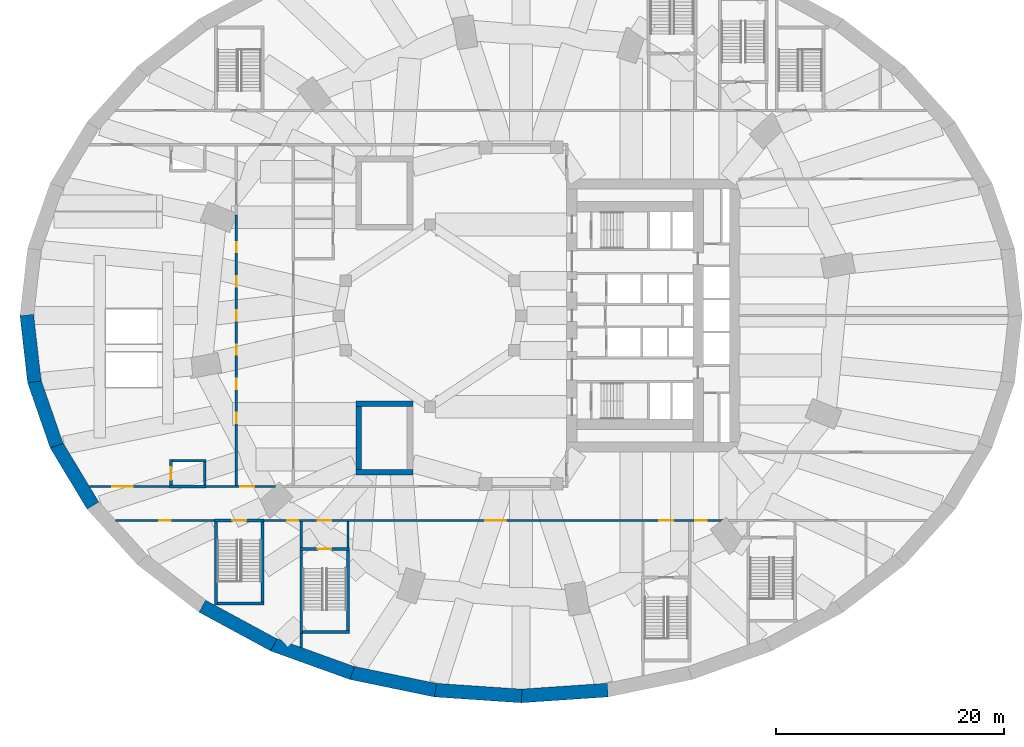
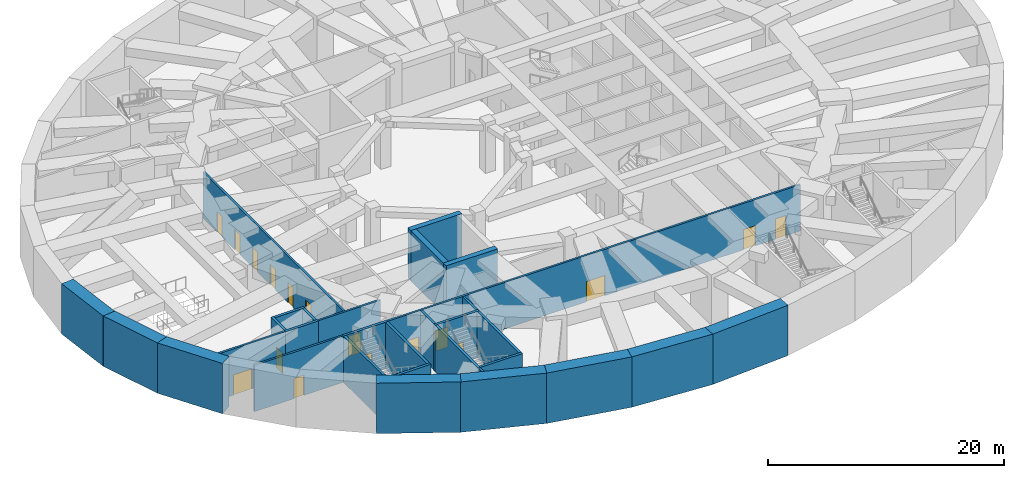
# One storey, part 4 of 14: 31 walls, 17 doors, 17 openings.
"""IFC4 building model written with IfcOpenShell, lengths in metres."""

from ifc_helpers import new_model, si_unit, direction, frame, frame_2d, origin, place, context, subcontext, project, spatial, rectangle, extrude, material, layer, layer_set, type_object, element, fill, save


model = new_model("IFC4")

# Units and contexts
model_context = context("Model", 3, precision=1e-05, world=origin(), true_north=direction((0.0, 1.0)))
body_context = subcontext(model_context, "Body", "Model", "MODEL_VIEW")
ifc_project = project(units=[si_unit("LENGTHUNIT", "METRE"), si_unit("AREAUNIT", "SQUARE_METRE"), si_unit("VOLUMEUNIT", "CUBIC_METRE"), si_unit("PLANEANGLEUNIT", "RADIAN"), si_unit("MASSUNIT", "GRAM", prefix="KILO")], contexts=[model_context])

# Site, building, storey
site_placement = place(None, origin())
site = spatial("IfcSite", under=ifc_project, at=site_placement, CompositionType="ELEMENT")
building_placement = place(site_placement, origin())
building = spatial("IfcBuilding", under=site, at=building_placement, Name="Taillehof Tower", CompositionType="ELEMENT")
storey_placement = place(building_placement, frame((0.0, 0.0, -5.199951171875)))
storey = spatial("IfcBuildingStorey", under=building, at=storey_placement, Name="B1", CompositionType="ELEMENT", Elevation=-5.199951171875)

# Wall, opening, door
ifc_material_1 = material(Name="Calcium silicate blockwork", Category="masonry")
ifc_layer_1 = layer(ifc_material_1, 0.199951171875)
ifc_layer_set_1 = layer_set([ifc_layer_1], Name="Compartment wall EI 60 200 mm")
wall_type_1 = type_object("IfcWallType", Name="Compartment wall EI 60 200 mm", PredefinedType="PARTITIONING", material=ifc_layer_set_1)
wall_1_placement = place(storey_placement, frame((-35.60546875, -18.0, 0.0), z_axis=(0.0, 0.0, 1.0), x_axis=(1.0, 0.0, 0.0)))
wall_1 = element("IfcWall", 1, at=wall_1_placement, inside=storey, type_object=wall_type_1, Name="Wall B1-18 / B1-27", PredefinedType="PARTITIONING", context=body_context, shape_type="SweptSolid", body=[
    extrude(rectangle(XDim=8.680419921875, YDim=0.199951171875, at=frame_2d((4.34033203125, 0.0))), origin(), (0.0, 0.0, 1.0), 4.7900390625),
])
opening_1_placement = place(wall_1_placement, frame((3.84033203125, 0.0, 0.0)))
opening_1 = element("IfcOpeningElement", 2, at=opening_1_placement, cuts=wall_1, Name="Opening DB144", PredefinedType="OPENING", context=body_context, shape_type="SweptSolid", body=[
    extrude(rectangle(XDim=1.0, YDim=2.10009765625, at=frame_2d((0.5, 1.050048828125))), frame((0.0, 0.10986328125, 0.0), z_axis=(0.0, -1.0, 0.0), x_axis=(1.0, 0.0, 0.0)), (0.0, 0.0, 1.0), 0.219970703125),
])
ifc_material_2 = material(Name="Hollow metal door set")
door_type_1 = type_object("IfcDoorType", Name="Single door 1000 x 2100 FD60S", OperationType="SINGLE_SWING_LEFT", PredefinedType="DOOR", material=ifc_material_2)
door_1_placement = place(opening_1_placement, origin())
door_1 = element("IfcDoor", 3, at=door_1_placement, inside=storey, type_object=door_type_1, Name="Door DB144", OperationType="SINGLE_SWING_RIGHT", OverallHeight=2.10009765625, OverallWidth=1.0, PredefinedType="DOOR", context=body_context, shape_type="SweptSolid", body=[
    extrude(rectangle(XDim=1.0, YDim=2.10009765625, at=frame_2d((0.5, 1.050048828125))), frame((0.0, 0.02490234375, 0.0), z_axis=(0.0, -1.0, 0.0), x_axis=(1.0, 0.0, 0.0)), (0.0, 0.0, 1.0), 0.050048828125),
])
fill(opening_1, door_1)

# Wall, openings, doors
wall_2_placement = place(storey_placement, frame((-22.574951171875, -18.0, 0.0), z_axis=(0.0, 0.0, 1.0), x_axis=(1.0, 0.0, 0.0)))
wall_2 = element("IfcWall", 4, at=wall_2_placement, inside=storey, type_object=wall_type_1, Name="Wall B1-18 / B1-28", PredefinedType="PARTITIONING", context=body_context, shape_type="SweptSolid", body=[
    extrude(rectangle(XDim=40.28955078125, YDim=0.199951171875, at=frame_2d((20.144775390625, 0.0))), origin(), (0.0, 0.0, 1.0), 4.7900390625),
])
opening_2_placement = place(wall_2_placement, frame((2.02490234375, 0.0, 0.0)))
opening_2 = element("IfcOpeningElement", 5, at=opening_2_placement, cuts=wall_2, Name="Opening DB146", PredefinedType="OPENING", context=body_context, shape_type="SweptSolid", body=[
    extrude(rectangle(XDim=1.0, YDim=2.10009765625, at=frame_2d((0.5, 1.050048828125))), frame((0.0, 0.10986328125, 0.0), z_axis=(0.0, -1.0, 0.0), x_axis=(1.0, 0.0, 0.0)), (0.0, 0.0, 1.0), 0.219970703125),
])
opening_3_placement = place(wall_2_placement, frame((4.72509765625, 0.0, 0.0)))
opening_3 = element("IfcOpeningElement", 6, at=opening_3_placement, cuts=wall_2, Name="Opening DB147", PredefinedType="OPENING", context=body_context, shape_type="SweptSolid", body=[
    extrude(rectangle(XDim=1.199951171875, YDim=2.10009765625, at=frame_2d((0.60009765625, 1.050048828125))), frame((0.0, 0.10986328125, 0.0), z_axis=(0.0, -1.0, 0.0), x_axis=(1.0, 0.0, 0.0)), (0.0, 0.0, 1.0), 0.219970703125),
])
opening_4_placement = place(wall_2_placement, frame((19.425048828125, 0.0, 0.0)))
opening_4 = element("IfcOpeningElement", 7, at=opening_4_placement, cuts=wall_2, Name="Opening DB148", PredefinedType="OPENING", context=body_context, shape_type="SweptSolid", body=[
    extrude(rectangle(XDim=1.800048828125, YDim=2.10009765625, at=frame_2d((0.89990234375, 1.050048828125))), frame((0.0, 0.10986328125, 0.0), z_axis=(0.0, -1.0, 0.0), x_axis=(1.0, 0.0, 0.0)), (0.0, 0.0, 1.0), 0.219970703125),
])
opening_5_placement = place(wall_2_placement, frame((34.72509765625, 0.0, 0.0)))
opening_5 = element("IfcOpeningElement", 8, at=opening_5_placement, cuts=wall_2, Name="Opening DB149", PredefinedType="OPENING", context=body_context, shape_type="SweptSolid", body=[
    extrude(rectangle(XDim=1.199951171875, YDim=2.10009765625, at=frame_2d((0.60009765625, 1.050048828125))), frame((0.0, 0.10986328125, 0.0), z_axis=(0.0, -1.0, 0.0), x_axis=(1.0, 0.0, 0.0)), (0.0, 0.0, 1.0), 0.219970703125),
])
opening_6_placement = place(wall_2_placement, frame((37.882080078125, 0.0, 0.0)))
opening_6 = element("IfcOpeningElement", 9, at=opening_6_placement, cuts=wall_2, Name="Opening DB150", PredefinedType="OPENING", context=body_context, shape_type="SweptSolid", body=[
    extrude(rectangle(XDim=1.0, YDim=2.10009765625, at=frame_2d((0.5, 1.050048828125))), frame((0.0, 0.10986328125, 0.0), z_axis=(0.0, -1.0, 0.0), x_axis=(1.0, 0.0, 0.0)), (0.0, 0.0, 1.0), 0.219970703125),
])
ifc_material_3 = material(Name="Hollow metal door set")
door_type_2 = type_object("IfcDoorType", Name="Double door 1800 x 2100 FD60S", OperationType="DOUBLE_DOOR_SINGLE_SWING", PredefinedType="DOOR", material=ifc_material_3)
door_2_placement = place(opening_4_placement, origin())
door_2 = element("IfcDoor", 10, at=door_2_placement, inside=storey, type_object=door_type_2, Name="Door DB148", OperationType="DOUBLE_DOOR_SINGLE_SWING", OverallHeight=2.10009765625, OverallWidth=1.800048828125, PredefinedType="DOOR", context=body_context, shape_type="SweptSolid", body=[
    extrude(rectangle(XDim=1.800048828125, YDim=2.10009765625, at=frame_2d((0.89990234375, 1.050048828125))), frame((0.0, 0.02490234375, 0.0), z_axis=(0.0, -1.0, 0.0), x_axis=(1.0, 0.0, 0.0)), (0.0, 0.0, 1.0), 0.050048828125),
])
fill(opening_4, door_2)
door_3_placement = place(opening_2_placement, origin())
door_3 = element("IfcDoor", 11, at=door_3_placement, inside=storey, type_object=door_type_1, Name="Door DB146", OperationType="SINGLE_SWING_LEFT", OverallHeight=2.10009765625, OverallWidth=1.0, PredefinedType="DOOR", context=body_context, shape_type="SweptSolid", body=[
    extrude(rectangle(XDim=1.0, YDim=2.10009765625, at=frame_2d((0.5, 1.050048828125))), frame((0.0, 0.02490234375, 0.0), z_axis=(0.0, -1.0, 0.0), x_axis=(1.0, 0.0, 0.0)), (0.0, 0.0, 1.0), 0.050048828125),
])
fill(opening_2, door_3)
door_4_placement = place(opening_6_placement, origin())
door_4 = element("IfcDoor", 12, at=door_4_placement, inside=storey, type_object=door_type_1, Name="Door DB150", OperationType="SINGLE_SWING_RIGHT", OverallHeight=2.10009765625, OverallWidth=1.0, PredefinedType="DOOR", context=body_context, shape_type="SweptSolid", body=[
    extrude(rectangle(XDim=1.0, YDim=2.10009765625, at=frame_2d((0.5, 1.050048828125))), frame((0.0, 0.02490234375, 0.0), z_axis=(0.0, -1.0, 0.0), x_axis=(1.0, 0.0, 0.0)), (0.0, 0.0, 1.0), 0.050048828125),
])
fill(opening_6, door_4)
ifc_material_4 = material(Name="Hollow metal door set")
door_type_3 = type_object("IfcDoorType", Name="Single door 1200 x 2100 FD60S", OperationType="SINGLE_SWING_LEFT", PredefinedType="DOOR", material=ifc_material_4)
door_5_placement = place(opening_3_placement, origin())
door_5 = element("IfcDoor", 13, at=door_5_placement, inside=storey, type_object=door_type_3, Name="Door DB147", OperationType="SINGLE_SWING_LEFT", OverallHeight=2.10009765625, OverallWidth=1.199951171875, PredefinedType="DOOR", context=body_context, shape_type="SweptSolid", body=[
    extrude(rectangle(XDim=1.199951171875, YDim=2.10009765625, at=frame_2d((0.60009765625, 1.050048828125))), frame((0.0, 0.02490234375, 0.0), z_axis=(0.0, -1.0, 0.0), x_axis=(1.0, 0.0, 0.0)), (0.0, 0.0, 1.0), 0.050048828125),
])
fill(opening_3, door_5)
door_6_placement = place(opening_5_placement, origin())
door_6 = element("IfcDoor", 14, at=door_6_placement, inside=storey, type_object=door_type_3, Name="Door DB149", OperationType="SINGLE_SWING_LEFT", OverallHeight=2.10009765625, OverallWidth=1.199951171875, PredefinedType="DOOR", context=body_context, shape_type="SweptSolid", body=[
    extrude(rectangle(XDim=1.199951171875, YDim=2.10009765625, at=frame_2d((0.60009765625, 1.050048828125))), frame((0.0, 0.02490234375, 0.0), z_axis=(0.0, -1.0, 0.0), x_axis=(1.0, 0.0, 0.0)), (0.0, 0.0, 1.0), 0.050048828125),
])
fill(opening_5, door_6)

# Wall, opening, door
wall_3_placement = place(storey_placement, frame((-37.914794921875, -15.0, 0.0), z_axis=(0.0, 0.0, 1.0), x_axis=(1.0, 0.0, 0.0)))
wall_3 = element("IfcWall", 15, at=wall_3_placement, inside=storey, type_object=wall_type_1, Name="Wall B1-15 / B1-18", PredefinedType="PARTITIONING", context=body_context, shape_type="SweptSolid", body=[
    extrude(rectangle(XDim=7.064697265625, YDim=0.199951171875, at=frame_2d((3.5322265625, 0.0))), origin(), (0.0, 0.0, 1.0), 4.7900390625),
])
opening_7_placement = place(wall_3_placement, frame((2.0146484375, 0.0, 0.0)))
opening_7 = element("IfcOpeningElement", 16, at=opening_7_placement, cuts=wall_3, Name="Opening DB153", PredefinedType="OPENING", context=body_context, shape_type="SweptSolid", body=[
    extrude(rectangle(XDim=1.800048828125, YDim=2.10009765625, at=frame_2d((0.89990234375, 1.050048828125))), frame((0.0, 0.10986328125, 0.0), z_axis=(0.0, -1.0, 0.0), x_axis=(1.0, 0.0, 0.0)), (0.0, 0.0, 1.0), 0.219970703125),
])
door_7_placement = place(opening_7_placement, origin())
door_7 = element("IfcDoor", 17, at=door_7_placement, inside=storey, type_object=door_type_2, Name="Door DB153", OperationType="DOUBLE_DOOR_SINGLE_SWING", OverallHeight=2.10009765625, OverallWidth=1.800048828125, PredefinedType="DOOR", context=body_context, shape_type="SweptSolid", body=[
    extrude(rectangle(XDim=1.800048828125, YDim=2.10009765625, at=frame_2d((0.89990234375, 1.050048828125))), frame((0.0, 0.02490234375, 0.0), z_axis=(0.0, -1.0, 0.0), x_axis=(1.0, 0.0, 0.0)), (0.0, 0.0, 1.0), 0.050048828125),
])
fill(opening_7, door_7)

wall_4_placement = place(storey_placement, frame((-27.64990234375, -15.0, 0.0), z_axis=(0.0, 0.0, 1.0), x_axis=(1.0, 0.0, 0.0)))
wall_4 = element("IfcWall", 18, at=wall_4_placement, inside=storey, type_object=wall_type_1, Name="Wall B1-15 / B1-18", PredefinedType="PARTITIONING", context=body_context, shape_type="SweptSolid", body=[
    extrude(rectangle(XDim=6.106689453125, YDim=0.199951171875, at=frame_2d((3.05322265625, 0.0))), origin(), (0.0, 0.0, 1.0), 4.7900390625),
])
opening_8_placement = place(wall_4_placement, frame((3.007080078125, 0.0, 0.0)))
opening_8 = element("IfcOpeningElement", 19, at=opening_8_placement, cuts=wall_4, Name="Opening DB154", PredefinedType="OPENING", context=body_context, shape_type="SweptSolid", body=[
    extrude(rectangle(XDim=1.199951171875, YDim=2.10009765625, at=frame_2d((0.60009765625, 1.050048828125))), frame((0.0, 0.10986328125, 0.0), z_axis=(0.0, -1.0, 0.0), x_axis=(1.0, 0.0, 0.0)), (0.0, 0.0, 1.0), 0.219970703125),
])
door_8_placement = place(opening_8_placement, origin())
door_8 = element("IfcDoor", 20, at=door_8_placement, inside=storey, type_object=door_type_3, Name="Door DB154", OperationType="SINGLE_SWING_LEFT", OverallHeight=2.10009765625, OverallWidth=1.199951171875, PredefinedType="DOOR", context=body_context, shape_type="SweptSolid", body=[
    extrude(rectangle(XDim=1.199951171875, YDim=2.10009765625, at=frame_2d((0.60009765625, 1.050048828125))), frame((0.0, 0.02490234375, 0.0), z_axis=(0.0, -1.0, 0.0), x_axis=(1.0, 0.0, 0.0)), (0.0, 0.0, 1.0), 0.050048828125),
])
fill(opening_8, door_8)

# Wall, openings, doors
wall_5_placement = place(storey_placement, frame((-25.0, -14.89990234375, 0.0), z_axis=(0.0, 0.0, 1.0), x_axis=(0.0, 1.0, 0.0)))
wall_5 = element("IfcWall", 21, at=wall_5_placement, inside=storey, type_object=wall_type_1, Name="Wall B1-14 / B1-15", PredefinedType="PARTITIONING", context=body_context, shape_type="SweptSolid", body=[
    extrude(rectangle(XDim=23.722900390625, YDim=0.199951171875, at=frame_2d((11.861328125, 0.0))), origin(), (0.0, 0.0, 1.0), 4.7900390625),
])
opening_9_placement = place(wall_5_placement, frame((5.449951171875, 0.0, 0.0)))
opening_9 = element("IfcOpeningElement", 22, at=opening_9_placement, cuts=wall_5, Name="Opening DB160", PredefinedType="OPENING", context=body_context, shape_type="SweptSolid", body=[
    extrude(rectangle(XDim=0.89990234375, YDim=2.10009765625, at=frame_2d((0.449951171875, 1.050048828125))), frame((0.0, 0.10986328125, 0.0), z_axis=(0.0, -1.0, 0.0), x_axis=(1.0, 0.0, 0.0)), (0.0, 0.0, 1.0), 0.219970703125),
])
opening_10_placement = place(wall_5_placement, frame((8.449951171875, 0.0, 0.0)))
opening_10 = element("IfcOpeningElement", 23, at=opening_10_placement, cuts=wall_5, Name="Opening DB161", PredefinedType="OPENING", context=body_context, shape_type="SweptSolid", body=[
    extrude(rectangle(XDim=0.89990234375, YDim=2.10009765625, at=frame_2d((0.449951171875, 1.050048828125))), frame((0.0, 0.10986328125, 0.0), z_axis=(0.0, -1.0, 0.0), x_axis=(1.0, 0.0, 0.0)), (0.0, 0.0, 1.0), 0.219970703125),
])
opening_11_placement = place(wall_5_placement, frame((11.449951171875, 0.0, 0.0)))
opening_11 = element("IfcOpeningElement", 24, at=opening_11_placement, cuts=wall_5, Name="Opening DB163", PredefinedType="OPENING", context=body_context, shape_type="SweptSolid", body=[
    extrude(rectangle(XDim=0.89990234375, YDim=2.10009765625, at=frame_2d((0.449951171875, 1.050048828125))), frame((0.0, 0.10986328125, 0.0), z_axis=(0.0, -1.0, 0.0), x_axis=(1.0, 0.0, 0.0)), (0.0, 0.0, 1.0), 0.219970703125),
])
opening_12_placement = place(wall_5_placement, frame((14.449951171875, 0.0, 0.0)))
opening_12 = element("IfcOpeningElement", 25, at=opening_12_placement, cuts=wall_5, Name="Opening DB165", PredefinedType="OPENING", context=body_context, shape_type="SweptSolid", body=[
    extrude(rectangle(XDim=0.89990234375, YDim=2.10009765625, at=frame_2d((0.449951171875, 1.050048828125))), frame((0.0, 0.10986328125, 0.0), z_axis=(0.0, -1.0, 0.0), x_axis=(1.0, 0.0, 0.0)), (0.0, 0.0, 1.0), 0.219970703125),
])
opening_13_placement = place(wall_5_placement, frame((17.449951171875, 0.0, 0.0)))
opening_13 = element("IfcOpeningElement", 26, at=opening_13_placement, cuts=wall_5, Name="Opening DB166", PredefinedType="OPENING", context=body_context, shape_type="SweptSolid", body=[
    extrude(rectangle(XDim=0.89990234375, YDim=2.10009765625, at=frame_2d((0.449951171875, 1.050048828125))), frame((0.0, 0.10986328125, 0.0), z_axis=(0.0, -1.0, 0.0), x_axis=(1.0, 0.0, 0.0)), (0.0, 0.0, 1.0), 0.219970703125),
])
opening_14_placement = place(wall_5_placement, frame((20.449951171875, 0.0, 0.0)))
opening_14 = element("IfcOpeningElement", 27, at=opening_14_placement, cuts=wall_5, Name="Opening DB168", PredefinedType="OPENING", context=body_context, shape_type="SweptSolid", body=[
    extrude(rectangle(XDim=0.89990234375, YDim=2.10009765625, at=frame_2d((0.449951171875, 1.050048828125))), frame((0.0, 0.10986328125, 0.0), z_axis=(0.0, -1.0, 0.0), x_axis=(1.0, 0.0, 0.0)), (0.0, 0.0, 1.0), 0.219970703125),
])
ifc_material_5 = material(Name="Laminated glass fare gate", Category="glass")
door_type_4 = type_object("IfcDoorType", Name="Fare gate 900 x 2100", OperationType="SLIDING_TO_LEFT", PredefinedType="GATE", material=ifc_material_5)
door_9_placement = place(opening_9_placement, origin())
door_9 = element("IfcDoor", 28, at=door_9_placement, inside=storey, type_object=door_type_4, Name="Fare gate DB160", OperationType="SLIDING_TO_LEFT", OverallHeight=2.10009765625, OverallWidth=0.89990234375, PredefinedType="GATE", context=body_context, shape_type="SweptSolid", body=[
    extrude(rectangle(XDim=0.89990234375, YDim=2.10009765625, at=frame_2d((0.449951171875, 1.050048828125))), frame((0.0, 0.02490234375, 0.0), z_axis=(0.0, -1.0, 0.0), x_axis=(1.0, 0.0, 0.0)), (0.0, 0.0, 1.0), 0.050048828125),
])
fill(opening_9, door_9)
door_10_placement = place(opening_10_placement, origin())
door_10 = element("IfcDoor", 29, at=door_10_placement, inside=storey, type_object=door_type_4, Name="Fare gate DB161", OperationType="SLIDING_TO_LEFT", OverallHeight=2.10009765625, OverallWidth=0.89990234375, PredefinedType="GATE", context=body_context, shape_type="SweptSolid", body=[
    extrude(rectangle(XDim=0.89990234375, YDim=2.10009765625, at=frame_2d((0.449951171875, 1.050048828125))), frame((0.0, 0.02490234375, 0.0), z_axis=(0.0, -1.0, 0.0), x_axis=(1.0, 0.0, 0.0)), (0.0, 0.0, 1.0), 0.050048828125),
])
fill(opening_10, door_10)
door_11_placement = place(opening_11_placement, origin())
door_11 = element("IfcDoor", 30, at=door_11_placement, inside=storey, type_object=door_type_4, Name="Fare gate DB163", OperationType="SLIDING_TO_RIGHT", OverallHeight=2.10009765625, OverallWidth=0.89990234375, PredefinedType="GATE", context=body_context, shape_type="SweptSolid", body=[
    extrude(rectangle(XDim=0.89990234375, YDim=2.10009765625, at=frame_2d((0.449951171875, 1.050048828125))), frame((0.0, 0.02490234375, 0.0), z_axis=(0.0, -1.0, 0.0), x_axis=(1.0, 0.0, 0.0)), (0.0, 0.0, 1.0), 0.050048828125),
])
fill(opening_11, door_11)
door_12_placement = place(opening_12_placement, origin())
door_12 = element("IfcDoor", 31, at=door_12_placement, inside=storey, type_object=door_type_4, Name="Fare gate DB165", OperationType="SLIDING_TO_RIGHT", OverallHeight=2.10009765625, OverallWidth=0.89990234375, PredefinedType="GATE", context=body_context, shape_type="SweptSolid", body=[
    extrude(rectangle(XDim=0.89990234375, YDim=2.10009765625, at=frame_2d((0.449951171875, 1.050048828125))), frame((0.0, 0.02490234375, 0.0), z_axis=(0.0, -1.0, 0.0), x_axis=(1.0, 0.0, 0.0)), (0.0, 0.0, 1.0), 0.050048828125),
])
fill(opening_12, door_12)
door_13_placement = place(opening_13_placement, origin())
door_13 = element("IfcDoor", 32, at=door_13_placement, inside=storey, type_object=door_type_4, Name="Fare gate DB166", OperationType="SLIDING_TO_RIGHT", OverallHeight=2.10009765625, OverallWidth=0.89990234375, PredefinedType="GATE", context=body_context, shape_type="SweptSolid", body=[
    extrude(rectangle(XDim=0.89990234375, YDim=2.10009765625, at=frame_2d((0.449951171875, 1.050048828125))), frame((0.0, 0.02490234375, 0.0), z_axis=(0.0, -1.0, 0.0), x_axis=(1.0, 0.0, 0.0)), (0.0, 0.0, 1.0), 0.050048828125),
])
fill(opening_13, door_13)
door_14_placement = place(opening_14_placement, origin())
door_14 = element("IfcDoor", 33, at=door_14_placement, inside=storey, type_object=door_type_4, Name="Fare gate DB168", OperationType="SLIDING_TO_RIGHT", OverallHeight=2.10009765625, OverallWidth=0.89990234375, PredefinedType="GATE", context=body_context, shape_type="SweptSolid", body=[
    extrude(rectangle(XDim=0.89990234375, YDim=2.10009765625, at=frame_2d((0.449951171875, 1.050048828125))), frame((0.0, 0.02490234375, 0.0), z_axis=(0.0, -1.0, 0.0), x_axis=(1.0, 0.0, 0.0)), (0.0, 0.0, 1.0), 0.050048828125),
])
fill(opening_14, door_14)

# Walls
wall_6_placement = place(storey_placement, frame((-19.300048828125, -29.127197265625, 0.0), z_axis=(0.0, 0.0, 1.0), x_axis=(0.0, 1.0, 0.0)))
element("IfcWall", 34, at=wall_6_placement, inside=storey, type_object=wall_type_1, Name="Wall B1-28 / B1-30", PredefinedType="PARTITIONING", context=body_context, shape_type="SweptSolid", body=[
    extrude(rectangle(XDim=1.212158203125, YDim=0.199951171875, at=frame_2d((0.60595703125, 0.0))), origin(), (0.0, 0.0, 1.0), 4.7900390625),
])
for number, where, z_axis, x_axis, name in (
    (35, (-19.300048828125, -20.375, 0.0), (0.0, 0.0, 1.0), (0.0, 1.0, 0.0), "Wall B1-28 / B1-29"),
    (36, (-15.199951171875, -20.375, 0.0), (0.0, 0.0, 1.0), (0.0, 1.0, 0.0), "Wall B1-29 / B1-30"),
):
    element("IfcWall", number, at=place(storey_placement, frame(where, z_axis=z_axis, x_axis=x_axis)), inside=storey, type_object=wall_type_1, Name=name, PredefinedType="PARTITIONING", context=body_context, shape_type="SweptSolid", body=[
        extrude(rectangle(XDim=2.27490234375, YDim=0.199951171875, at=frame_2d((1.137451171875, 0.0))), origin(), (0.0, 0.0, 1.0), 4.7900390625),
    ])
ifc_material_6 = material(Name="Concrete C35/45", Category="concrete")
ifc_layer_2 = layer(ifc_material_6, 1.199951171875)
ifc_layer_set_2 = layer_set([ifc_layer_2], Name="Diaphragm wall 1200")
wall_type_2 = type_object("IfcWallType", Name="Diaphragm wall 1200", PredefinedType="USERDEFINED", material=ifc_layer_set_2)
wall_7_placement = place(storey_placement, frame((-43.402099609375, 0.05224609375, 0.0), z_axis=(0.0, 0.0, 1.0), x_axis=(0.112525170728, -0.993648874579, 0.0)))
element("IfcWall", 37, at=wall_7_placement, inside=storey, type_object=wall_type_2, Name="Diaphragm wall DW19", ObjectType="Retaining wall", PredefinedType="USERDEFINED", context=body_context, shape_type="SweptSolid", body=[
    extrude(rectangle(XDim=5.912353515625, YDim=1.199951171875, at=frame_2d((2.9560546875, 0.0))), origin(), (0.0, 0.0, 1.0), 5.199951171875),
])
wall_8_placement = place(storey_placement, frame((-42.760009765625, -5.720703125, 0.0), z_axis=(0.0, 0.0, 1.0), x_axis=(0.327626042927, -0.944807480917, 0.0)))
element("IfcWall", 38, at=wall_8_placement, inside=storey, type_object=wall_type_2, Name="Diaphragm wall DW20", ObjectType="Retaining wall", PredefinedType="USERDEFINED", context=body_context, shape_type="SweptSolid", body=[
    extrude(rectangle(XDim=6.034423828125, YDim=1.199951171875, at=frame_2d((3.01708984375, 0.0))), origin(), (0.0, 0.0, 1.0), 5.199951171875),
])
wall_9_placement = place(storey_placement, frame((-40.827392578125, -11.32763671875, 0.0), z_axis=(0.0, 0.0, 1.0), x_axis=(0.516691596258, -0.856171591655, 0.0)))
element("IfcWall", 39, at=wall_9_placement, inside=storey, type_object=wall_type_2, Name="Diaphragm wall DW21", ObjectType="Retaining wall", PredefinedType="USERDEFINED", context=body_context, shape_type="SweptSolid", body=[
    extrude(rectangle(XDim=6.25732421875, YDim=1.199951171875, at=frame_2d((3.128662109375, 0.0))), origin(), (0.0, 0.0, 1.0), 5.199951171875),
])
wall_10_placement = place(storey_placement, frame((-28.00048828125, -25.51611328125, 0.0), z_axis=(0.0, 0.0, 1.0), x_axis=(0.879519330959, -0.475863159394, 0.0)))
element("IfcWall", 40, at=wall_10_placement, inside=storey, type_object=wall_type_2, Name="Diaphragm wall DW24", ObjectType="Retaining wall", PredefinedType="USERDEFINED", context=body_context, shape_type="SweptSolid", body=[
    extrude(rectangle(XDim=7.154541015625, YDim=1.199951171875, at=frame_2d((3.5771484375, 0.0))), origin(), (0.0, 0.0, 1.0), 5.199951171875),
])
wall_11_placement = place(storey_placement, frame((-21.803466796875, -28.8779296875, 0.0), z_axis=(0.0, 0.0, 1.0), x_axis=(0.940789454531, -0.338991448628, 0.0)))
element("IfcWall", 41, at=wall_11_placement, inside=storey, type_object=wall_type_2, Name="Diaphragm wall DW25", ObjectType="Retaining wall", PredefinedType="USERDEFINED", context=body_context, shape_type="SweptSolid", body=[
    extrude(rectangle(XDim=7.40576171875, YDim=1.199951171875, at=frame_2d((3.702880859375, 0.0))), origin(), (0.0, 0.0, 1.0), 5.199951171875),
])
wall_12_placement = place(storey_placement, frame((-14.93701171875, -31.360107421875, 0.0), z_axis=(0.0, 0.0, 1.0), x_axis=(0.979235314674, -0.202726906196, 0.0)))
element("IfcWall", 42, at=wall_12_placement, inside=storey, type_object=wall_type_2, Name="Diaphragm wall DW26", ObjectType="Retaining wall", PredefinedType="USERDEFINED", context=body_context, shape_type="SweptSolid", body=[
    extrude(rectangle(XDim=7.5869140625, YDim=1.199951171875, at=frame_2d((3.79345703125, 0.0))), origin(), (0.0, 0.0, 1.0), 5.199951171875),
])
for number, where, z_axis, x_axis, name in (
    (43, (-7.611572265625, -32.884033203125, 0.0), (0.0, 0.0, 1.0), (0.99772313347, -0.067442930977, 0.0), "Diaphragm wall DW27"),
    (44, (-0.052490234375, -33.402099609375, 0.0), (0.0, 0.0, 1.0), (0.99772313347, 0.067442930977, 0.0), "Diaphragm wall DW28"),
):
    element("IfcWall", number, at=place(storey_placement, frame(where, z_axis=z_axis, x_axis=x_axis)), inside=storey, type_object=wall_type_2, Name=name, ObjectType="Retaining wall", PredefinedType="USERDEFINED", context=body_context, shape_type="SweptSolid", body=[
        extrude(rectangle(XDim=7.681640625, YDim=1.199951171875, at=frame_2d((3.8408203125, 0.0))), origin(), (0.0, 0.0, 1.0), 5.199951171875),
    ])
ifc_material_7 = material(Name="Calcium silicate blockwork", Category="masonry")
ifc_layer_3 = layer(ifc_material_7, 0.25)
ifc_layer_set_3 = layer_set([ifc_layer_3], Name="Shaft wall EI 120 250 mm")
wall_type_3 = type_object("IfcWallType", Name="Shaft wall EI 120 250 mm", PredefinedType="SHEAR", material=ifc_layer_set_3)
wall_13_placement = place(storey_placement, frame((-30.85009765625, -15.0, 0.0), z_axis=(0.0, 0.0, 1.0), x_axis=(1.0, 0.0, 0.0)))
element("IfcWall", 45, at=wall_13_placement, inside=storey, type_object=wall_type_3, Name="Wall B1-10 / B1-18", PredefinedType="SHEAR", context=body_context, shape_type="SweptSolid", body=[
    extrude(rectangle(XDim=3.2001953125, YDim=0.25, at=frame_2d((1.60009765625, 0.0))), origin(), (0.0, 0.0, 1.0), 4.7900390625),
])
wall_14_placement = place(storey_placement, frame((-30.60009765625, -12.75, 0.0), z_axis=(0.0, 0.0, 1.0), x_axis=(1.0, 0.0, 0.0)))
element("IfcWall", 46, at=wall_14_placement, inside=storey, type_object=wall_type_3, Name="Wall B1-10 / B1-15", PredefinedType="SHEAR", context=body_context, shape_type="SweptSolid", body=[
    extrude(rectangle(XDim=2.9501953125, YDim=0.25, at=frame_2d((1.47509765625, 0.0))), origin(), (0.0, 0.0, 1.0), 4.7900390625),
])

# Wall, opening, door
wall_15_placement = place(storey_placement, frame((-30.72509765625, -14.875, 0.0), z_axis=(0.0, 0.0, 1.0), x_axis=(0.0, 1.0, 0.0)))
wall_15 = element("IfcWall", 47, at=wall_15_placement, inside=storey, type_object=wall_type_3, Name="Wall B1-10 / B1-15", PredefinedType="SHEAR", context=body_context, shape_type="SweptSolid", body=[
    extrude(rectangle(XDim=2.25, YDim=0.25, at=frame_2d((1.125, 0.0))), origin(), (0.0, 0.0, 1.0), 4.7900390625),
])
opening_15_placement = place(wall_15_placement, frame((0.449951171875, 0.0, 0.0)))
opening_15 = element("IfcOpeningElement", 48, at=opening_15_placement, cuts=wall_15, Name="Opening LD4", PredefinedType="OPENING", context=body_context, shape_type="SweptSolid", body=[
    extrude(rectangle(XDim=1.10009765625, YDim=2.10009765625, at=frame_2d((0.550048828125, 1.050048828125))), frame((0.0, 0.135009765625, 0.0), z_axis=(0.0, -1.0, 0.0), x_axis=(1.0, 0.0, 0.0)), (0.0, 0.0, 1.0), 0.27001953125),
])
ifc_material_8 = material(Name="Brushed stainless lift door")
door_type_5 = type_object("IfcDoorType", Name="Lift landing door 1100 x 2100", OperationType="SLIDING_TO_LEFT", PredefinedType="DOOR", material=ifc_material_8)
door_15_placement = place(opening_15_placement, origin())
door_15 = element("IfcDoor", 49, at=door_15_placement, inside=storey, type_object=door_type_5, Name="Landing door DB156", OperationType="SLIDING_TO_LEFT", OverallHeight=2.10009765625, OverallWidth=1.10009765625, PredefinedType="DOOR", context=body_context, shape_type="SweptSolid", body=[
    extrude(rectangle(XDim=1.10009765625, YDim=2.10009765625, at=frame_2d((0.550048828125, 1.050048828125))), frame((0.0, 0.02490234375, 0.0), z_axis=(0.0, -1.0, 0.0), x_axis=(1.0, 0.0, 0.0)), (0.0, 0.0, 1.0), 0.050048828125),
])
fill(opening_15, door_15)

# Walls
wall_16_placement = place(storey_placement, frame((-27.77490234375, -14.875, 0.0), z_axis=(0.0, 0.0, 1.0), x_axis=(0.0, 1.0, 0.0)))
element("IfcWall", 50, at=wall_16_placement, inside=storey, type_object=wall_type_3, Name="Wall B1-10 / B1-15", PredefinedType="SHEAR", context=body_context, shape_type="SweptSolid", body=[
    extrude(rectangle(XDim=2.0, YDim=0.25, at=frame_2d((1.0, 0.0))), origin(), (0.0, 0.0, 1.0), 4.7900390625),
])
ifc_material_9 = material(Name="Concrete C60/75", Category="concrete")
ifc_layer_4 = layer(ifc_material_9, 0.5)
ifc_layer_set_4 = layer_set([ifc_layer_4], Name="Stair enclosure base wall 500")
wall_type_4 = type_object("IfcWallType", Name="Stair enclosure base wall 500", PredefinedType="SHEAR", material=ifc_layer_set_4)
for number, where, z_axis, x_axis, name in (
    (51, (-14.5, -13.75, 0.0), (0.0, 0.0, 1.0), (1.0, 0.0, 0.0), "Enclosure base wall S4-1"),
    (52, (-9.5, -7.75, 0.0), (0.0, 0.0, 1.0), (-1.0, 0.0, 0.0), "Enclosure base wall S4-3"),
):
    element("IfcWall", number, at=place(storey_placement, frame(where, z_axis=z_axis, x_axis=x_axis)), inside=storey, type_object=wall_type_4, Name=name, PredefinedType="SHEAR", context=body_context, shape_type="SweptSolid", body=[
        extrude(rectangle(XDim=5.0, YDim=0.5, at=frame_2d((2.5, 0.0))), origin(), (0.0, 0.0, 1.0), 5.199951171875),
    ])
wall_17_placement = place(storey_placement, frame((-14.25, -7.5, 0.0), z_axis=(0.0, 0.0, 1.0), x_axis=(0.0, -1.0, 0.0)))
element("IfcWall", 53, at=wall_17_placement, inside=storey, type_object=wall_type_4, Name="Enclosure base wall S4-4", PredefinedType="SHEAR", context=body_context, shape_type="SweptSolid", body=[
    extrude(rectangle(XDim=6.5, YDim=0.5, at=frame_2d((3.25, 0.0))), origin(), (0.0, 0.0, 1.0), 5.199951171875),
])
ifc_material_10 = material(Name="Concrete C40/50", Category="concrete")
ifc_layer_5 = layer(ifc_material_10, 0.25)
ifc_layer_set_5 = layer_set([ifc_layer_5], Name="Stair wall EI 120 250 mm")
wall_type_5 = type_object("IfcWallType", Name="Stair wall EI 120 250 mm", PredefinedType="SOLIDWALL", material=ifc_layer_set_5)
for number, where, z_axis, x_axis, name in (
    (54, (-19.175048828125, -27.7900390625, 0.0), (0.0, 0.0, 1.0), (1.0, 0.0, 0.0), "Wall B1-08 / B1-30"),
    (55, (-26.675048828125, -25.2900390625, 0.0), (0.0, 0.0, 1.0), (1.0, 0.0, 0.0), "Wall B1-02 / B1-28"),
):
    element("IfcWall", number, at=place(storey_placement, frame(where, z_axis=z_axis, x_axis=x_axis)), inside=storey, type_object=wall_type_5, Name=name, PredefinedType="SOLIDWALL", context=body_context, shape_type="SweptSolid", body=[
        extrude(rectangle(XDim=4.10009765625, YDim=0.25, at=frame_2d((2.050048828125, 0.0))), origin(), (0.0, 0.0, 1.0), 4.7900390625),
    ])

# Wall, opening, door
wall_18_placement = place(storey_placement, frame((-19.425048828125, -20.5, 0.0), z_axis=(0.0, 0.0, 1.0), x_axis=(1.0, 0.0, 0.0)))
wall_18 = element("IfcWall", 56, at=wall_18_placement, inside=storey, type_object=wall_type_5, Name="Wall B1-08 / B1-29", PredefinedType="SOLIDWALL", context=body_context, shape_type="SweptSolid", body=[
    extrude(rectangle(XDim=4.35009765625, YDim=0.25, at=frame_2d((2.175048828125, 0.0))), origin(), (0.0, 0.0, 1.0), 4.7900390625),
])
opening_16_placement = place(wall_18_placement, frame((1.574951171875, 0.0, 0.0)))
opening_16 = element("IfcOpeningElement", 57, at=opening_16_placement, cuts=wall_18, Name="Opening DB142", PredefinedType="OPENING", context=body_context, shape_type="SweptSolid", body=[
    extrude(rectangle(XDim=1.199951171875, YDim=2.10009765625, at=frame_2d((0.60009765625, 1.050048828125))), frame((0.0, 0.135009765625, 0.0), z_axis=(0.0, -1.0, 0.0), x_axis=(1.0, 0.0, 0.0)), (0.0, 0.0, 1.0), 0.27001953125),
])
ifc_material_11 = material(Name="Hollow metal door set")
door_type_6 = type_object("IfcDoorType", Name="Single door 1200 x 2100 FD120S", OperationType="SINGLE_SWING_LEFT", PredefinedType="DOOR", material=ifc_material_11)
door_16_placement = place(opening_16_placement, origin())
door_16 = element("IfcDoor", 58, at=door_16_placement, inside=storey, type_object=door_type_6, Name="Door DB142", OperationType="SINGLE_SWING_RIGHT", OverallHeight=2.10009765625, OverallWidth=1.199951171875, PredefinedType="DOOR", context=body_context, shape_type="SweptSolid", body=[
    extrude(rectangle(XDim=1.199951171875, YDim=2.10009765625, at=frame_2d((0.60009765625, 1.050048828125))), frame((0.0, 0.02490234375, 0.0), z_axis=(0.0, -1.0, 0.0), x_axis=(1.0, 0.0, 0.0)), (0.0, 0.0, 1.0), 0.050048828125),
])
fill(opening_16, door_16)

wall_19_placement = place(storey_placement, frame((-26.925048828125, -18.0, 0.0), z_axis=(0.0, 0.0, 1.0), x_axis=(1.0, 0.0, 0.0)))
wall_19 = element("IfcWall", 59, at=wall_19_placement, inside=storey, type_object=wall_type_5, Name="Wall B1-02 / B1-18", PredefinedType="SOLIDWALL", context=body_context, shape_type="SweptSolid", body=[
    extrude(rectangle(XDim=4.35009765625, YDim=0.25, at=frame_2d((2.175048828125, 0.0))), origin(), (0.0, 0.0, 1.0), 4.7900390625),
])
opening_17_placement = place(wall_19_placement, frame((1.574951171875, 0.0, 0.0)))
opening_17 = element("IfcOpeningElement", 60, at=opening_17_placement, cuts=wall_19, Name="Opening DB145", PredefinedType="OPENING", context=body_context, shape_type="SweptSolid", body=[
    extrude(rectangle(XDim=1.199951171875, YDim=2.10009765625, at=frame_2d((0.60009765625, 1.050048828125))), frame((0.0, 0.135009765625, 0.0), z_axis=(0.0, -1.0, 0.0), x_axis=(1.0, 0.0, 0.0)), (0.0, 0.0, 1.0), 0.27001953125),
])
door_17_placement = place(opening_17_placement, origin())
door_17 = element("IfcDoor", 61, at=door_17_placement, inside=storey, type_object=door_type_6, Name="Door DB145", OperationType="SINGLE_SWING_LEFT", OverallHeight=2.10009765625, OverallWidth=1.199951171875, PredefinedType="DOOR", context=body_context, shape_type="SweptSolid", body=[
    extrude(rectangle(XDim=1.199951171875, YDim=2.10009765625, at=frame_2d((0.60009765625, 1.050048828125))), frame((0.0, 0.02490234375, 0.0), z_axis=(0.0, -1.0, 0.0), x_axis=(1.0, 0.0, 0.0)), (0.0, 0.0, 1.0), 0.050048828125),
])
fill(opening_17, door_17)

# Walls
wall_20_placement = place(storey_placement, frame((-26.800048828125, -25.4150390625, 0.0), z_axis=(0.0, 0.0, 1.0), x_axis=(0.0, 1.0, 0.0)))
element("IfcWall", 62, at=wall_20_placement, inside=storey, type_object=wall_type_5, Name="Wall B1-02 / B1-27", PredefinedType="SOLIDWALL", context=body_context, shape_type="SweptSolid", body=[
    extrude(rectangle(XDim=7.2900390625, YDim=0.25, at=frame_2d((3.64501953125, 0.0))), origin(), (0.0, 0.0, 1.0), 4.7900390625),
])
wall_21_placement = place(storey_placement, frame((-22.699951171875, -25.1650390625, 0.0), z_axis=(0.0, 0.0, 1.0), x_axis=(0.0, 1.0, 0.0)))
element("IfcWall", 63, at=wall_21_placement, inside=storey, type_object=wall_type_5, Name="Wall B1-02 / B1-28", PredefinedType="SOLIDWALL", context=body_context, shape_type="SweptSolid", body=[
    extrude(rectangle(XDim=7.0400390625, YDim=0.25, at=frame_2d((3.52001953125, 0.0))), origin(), (0.0, 0.0, 1.0), 4.7900390625),
])
wall_22_placement = place(storey_placement, frame((-19.300048828125, -27.9150390625, 0.0), z_axis=(0.0, 0.0, 1.0), x_axis=(0.0, 1.0, 0.0)))
element("IfcWall", 64, at=wall_22_placement, inside=storey, type_object=wall_type_5, Name="Wall B1-08 / B1-28", PredefinedType="SOLIDWALL", context=body_context, shape_type="SweptSolid", body=[
    extrude(rectangle(XDim=7.2900390625, YDim=0.25, at=frame_2d((3.64501953125, 0.0))), origin(), (0.0, 0.0, 1.0), 4.7900390625),
])
wall_23_placement = place(storey_placement, frame((-15.199951171875, -27.6650390625, 0.0), z_axis=(0.0, 0.0, 1.0), x_axis=(0.0, 1.0, 0.0)))
element("IfcWall", 65, at=wall_23_placement, inside=storey, type_object=wall_type_5, Name="Wall B1-08 / B1-30", PredefinedType="SOLIDWALL", context=body_context, shape_type="SweptSolid", body=[
    extrude(rectangle(XDim=7.0400390625, YDim=0.25, at=frame_2d((3.52001953125, 0.0))), origin(), (0.0, 0.0, 1.0), 4.7900390625),
])

save(model, "model.ifc")
